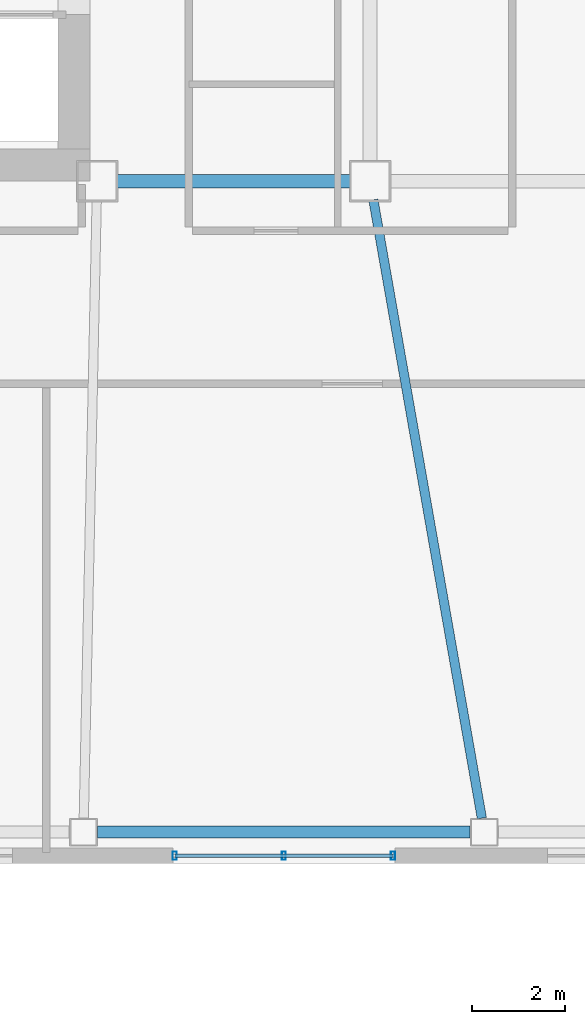
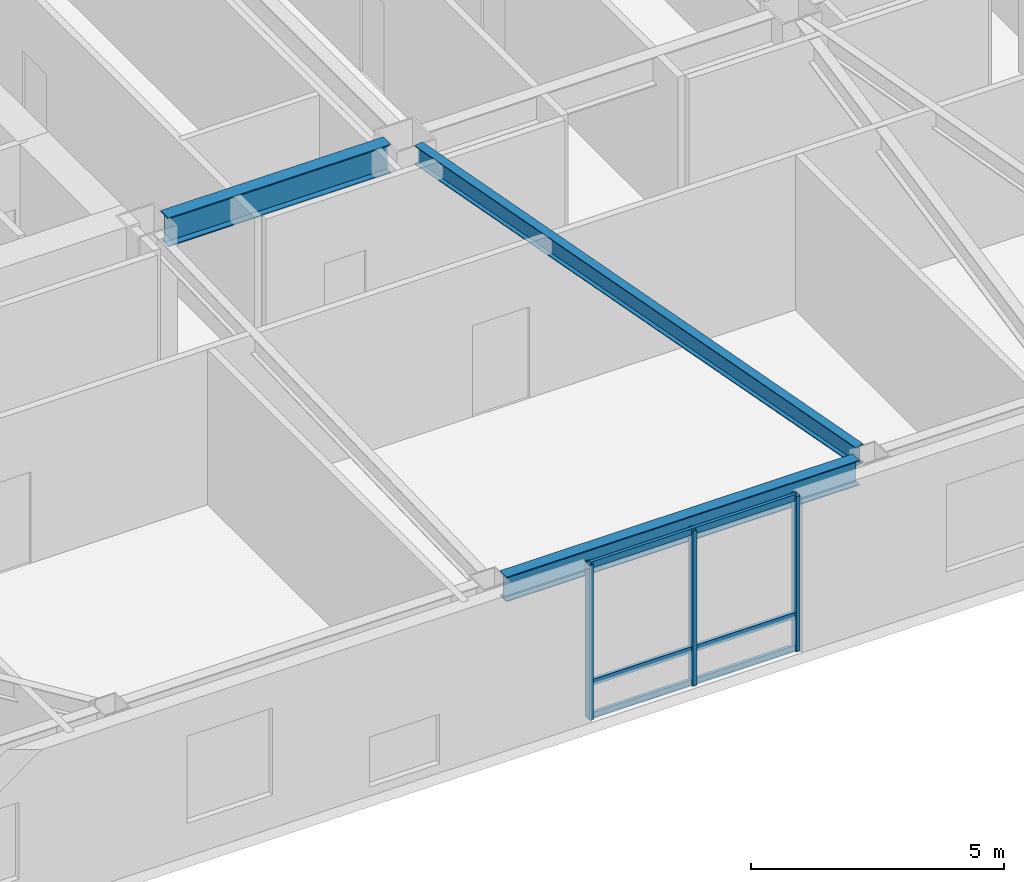
# One storey, part 4 of 18: 6 members, 3 beams, 1 element without a shape of its own.
"""IFC4 building model written with IfcOpenShell, lengths in metres."""

from ifc_helpers import new_model, si_unit, direction, frame, origin, origin_2d, place, context, subcontext, project, spatial, hollow_rectangle, i_section, extrude, material, layer, layer_set, material_profile, profile_set, type_object, element, aggregate, save


model = new_model("IFC4")

# Units and contexts
model_context = context("Model", 3, precision=1e-05, world=origin(), true_north=direction((0.0, 1.0)))
body_context = subcontext(model_context, "Body", "Model", "MODEL_VIEW")
ifc_project = project(units=[si_unit("LENGTHUNIT", "METRE"), si_unit("AREAUNIT", "SQUARE_METRE"), si_unit("VOLUMEUNIT", "CUBIC_METRE"), si_unit("PLANEANGLEUNIT", "RADIAN"), si_unit("MASSUNIT", "GRAM", prefix="KILO")], contexts=[model_context])

# Site, building, storey
site_placement = place(None, origin())
site = spatial("IfcSite", under=ifc_project, at=site_placement, CompositionType="ELEMENT")
building_placement = place(site_placement, origin())
building = spatial("IfcBuilding", under=site, at=building_placement, Name="Tavrogorsk Clinical Tower", CompositionType="ELEMENT")
storey_placement = place(building_placement, frame((0.0, 0.0, 184.199951171875)))
storey = spatial("IfcBuildingStorey", under=building, at=storey_placement, Name="L42", CompositionType="ELEMENT", Elevation=184.199951171875)

# Curtain wall, members
ifc_material_1 = material(Name="Anodised aluminium and triple IGU glazing", Category="aluminium")
ifc_layer = layer(ifc_material_1, 0.179931640625)
ifc_layer_set = layer_set([ifc_layer], Name="Anodised aluminium and triple IGU glazing")
curtain_wall_type = type_object("IfcCurtainWallType", Name="CW3_SouthSlot", PredefinedType="NOTDEFINED", material=ifc_layer_set)
curtain_wall_placement = place(storey_placement, origin())
curtain_wall = element("IfcCurtainWall", 1, at=curtain_wall_placement, inside=storey, type_object=curtain_wall_type, Name="L42 Curtain Wall CW-L42-S-SLOT-1", PredefinedType="NOTDEFINED")
ifc_material_2 = material(Name="Anodised aluminium alloy AW-6060", Category="aluminium")
ifc_material_profile_1 = material_profile(ifc_material_2, hollow_rectangle(XDim=0.090087890625, YDim=0.179931640625, WallThickness=0.00634765625, at=origin_2d()), Name="RHS-180x90x6.3")
ifc_profile_set_1 = profile_set([ifc_material_profile_1], Name="Anodised aluminium alloy AW-6060")
member_type_1 = type_object("IfcMemberType", Name="CwMullion_180x90", PredefinedType="MULLION", material=ifc_profile_set_1)
member_1_placement = place(storey_placement, frame((-8.621826171875, -20.929931640625, 0.0), z_axis=(0.0, 0.0, 1.0), x_axis=(1.0, 0.0, 0.0)))
member_1 = element("IfcMember", 2, at=member_1_placement, type_object=member_type_1, Name="CW-L42-S-SLOT-1 Mullion 1", PredefinedType="MULLION", context=body_context, shape_type="SweptSolid", body=[
    extrude(hollow_rectangle(XDim=0.090087890625, YDim=0.179931640625, WallThickness=0.00634765625, at=origin_2d()), origin(), (0.0, 0.0, 1.0), 3.739990234375),
])
member_2_placement = place(storey_placement, frame((-6.262939453125, -20.929931640625, 0.0), z_axis=(0.0, 0.0, 1.0), x_axis=(1.0, 0.0, 0.0)))
member_2 = element("IfcMember", 3, at=member_2_placement, type_object=member_type_1, Name="CW-L42-S-SLOT-1 Mullion 2", PredefinedType="MULLION", context=body_context, shape_type="SweptSolid", body=[
    extrude(hollow_rectangle(XDim=0.090087890625, YDim=0.179931640625, WallThickness=0.00634765625, at=origin_2d()), origin(), (0.0, 0.0, 1.0), 3.739990234375),
])
member_3_placement = place(storey_placement, frame((-3.90380859375, -20.929931640625, 0.0), z_axis=(0.0, 0.0, 1.0), x_axis=(1.0, 0.0, 0.0)))
member_3 = element("IfcMember", 4, at=member_3_placement, type_object=member_type_1, Name="CW-L42-S-SLOT-1 Mullion 3", PredefinedType="MULLION", context=body_context, shape_type="SweptSolid", body=[
    extrude(hollow_rectangle(XDim=0.090087890625, YDim=0.179931640625, WallThickness=0.00634765625, at=origin_2d()), origin(), (0.0, 0.0, 1.0), 3.739990234375),
])
ifc_material_3 = material(Name="Anodised aluminium alloy AW-6060", Category="aluminium")
ifc_material_profile_2 = material_profile(ifc_material_3, hollow_rectangle(XDim=0.074951171875, YDim=0.14990234375, WallThickness=0.0048828125, at=origin_2d()), Name="RHS-150x75x5")
ifc_profile_set_2 = profile_set([ifc_material_profile_2], Name="Anodised aluminium alloy AW-6060")
member_type_2 = type_object("IfcMemberType", Name="CwTransom_150x75", PredefinedType="USERDEFINED", material=ifc_profile_set_2)
member_4_placement = place(storey_placement, frame((-8.621826171875, -20.929931640625, 0.050048828125), z_axis=(1.0, 0.0, 0.0), x_axis=(0.0, 1.0, 0.0)))
member_4 = element("IfcMember", 5, at=member_4_placement, type_object=member_type_2, Name="CW-L42-S-SLOT-1 Transom 1", ObjectType="TRANSOM", PredefinedType="USERDEFINED", context=body_context, shape_type="SweptSolid", body=[
    extrude(hollow_rectangle(XDim=0.074951171875, YDim=0.14990234375, WallThickness=0.0048828125, at=origin_2d()), origin(), (0.0, 0.0, 1.0), 4.718017578125),
])
member_5_placement = place(storey_placement, frame((-8.621826171875, -20.929931640625, 0.85009765625), z_axis=(1.0, 0.0, 0.0), x_axis=(0.0, 1.0, 0.0)))
member_5 = element("IfcMember", 6, at=member_5_placement, type_object=member_type_2, Name="CW-L42-S-SLOT-1 Transom 2", ObjectType="TRANSOM", PredefinedType="USERDEFINED", context=body_context, shape_type="SweptSolid", body=[
    extrude(hollow_rectangle(XDim=0.074951171875, YDim=0.14990234375, WallThickness=0.0048828125, at=origin_2d()), origin(), (0.0, 0.0, 1.0), 4.718017578125),
])
member_6_placement = place(storey_placement, frame((-8.621826171875, -20.929931640625, 3.68994140625), z_axis=(1.0, 0.0, 0.0), x_axis=(0.0, 1.0, 0.0)))
member_6 = element("IfcMember", 7, at=member_6_placement, type_object=member_type_2, Name="CW-L42-S-SLOT-1 Transom 3", ObjectType="TRANSOM", PredefinedType="USERDEFINED", context=body_context, shape_type="SweptSolid", body=[
    extrude(hollow_rectangle(XDim=0.074951171875, YDim=0.14990234375, WallThickness=0.0048828125, at=origin_2d()), origin(), (0.0, 0.0, 1.0), 4.718017578125),
])
aggregate(curtain_wall, [member_1, member_2, member_3, member_4, member_5, member_6])

# Beams
ifc_material_4 = material(Name="Structural steel S355", Category="steel")
ifc_material_profile_3 = material_profile(ifc_material_4, i_section(OverallWidth=0.199951171875, OverallDepth=0.449951171875, WebThickness=0.011474609375, FlangeThickness=0.01806640625, at=origin_2d()), Name="B-450x200x11.5x18")
ifc_profile_set_3 = profile_set([ifc_material_profile_3], Name="Structural steel S355")
beam_type_1 = type_object("IfcBeamType", Name="FloorBeam_B450", PredefinedType="BEAM", material=ifc_profile_set_3)
beam_1_placement = place(storey_placement, frame((-4.3291015625, -6.75390625, 3.51513671875), z_axis=(0.172808972689, -0.984955358866, 0.0), x_axis=(0.984955358866, 0.172808972689, 0.0)))
element("IfcBeam", 8, at=beam_1_placement, inside=storey, type_object=beam_type_1, Name="L42 Radial Floor Beam S4", PredefinedType="BEAM", context=body_context, shape_type="SweptSolid", body=[
    extrude(i_section(OverallWidth=0.199951171875, OverallDepth=0.449951171875, WebThickness=0.011474609375, FlangeThickness=0.01806640625, at=origin_2d()), origin(), (0.0, 0.0, 1.0), 13.56689453125),
])
ifc_material_5 = material(Name="Structural steel S390", Category="steel")
ifc_material_profile_4 = material_profile(ifc_material_5, i_section(OverallWidth=0.300048828125, OverallDepth=0.699951171875, WebThickness=0.01708984375, FlangeThickness=0.028076171875, at=origin_2d()), Name="B-700x300x17x28")
ifc_profile_set_4 = profile_set([ifc_material_profile_4], Name="Structural steel S390")
beam_type_2 = type_object("IfcBeamType", Name="PrimaryGirder_B700", PredefinedType="USERDEFINED", material=ifc_profile_set_4)
beam_2_placement = place(storey_placement, frame((-9.889892578125, -6.35009765625, 3.39013671875), z_axis=(1.0, 0.0, 0.0), x_axis=(0.0, 1.0, 0.0)))
element("IfcBeam", 9, at=beam_2_placement, inside=storey, type_object=beam_type_2, Name="L42 Primary Spine Girder MG-01", ObjectType="GIRDER", PredefinedType="USERDEFINED", context=body_context, shape_type="SweptSolid", body=[
    extrude(i_section(OverallWidth=0.300048828125, OverallDepth=0.699951171875, WebThickness=0.01708984375, FlangeThickness=0.028076171875, at=origin_2d()), origin(), (0.0, 0.0, 1.0), 5.079833984375),
])
ifc_material_6 = material(Name="Structural steel S390", Category="steel")
ifc_material_profile_5 = material_profile(ifc_material_6, i_section(OverallWidth=0.260009765625, OverallDepth=0.60009765625, WebThickness=0.014892578125, FlangeThickness=0.02392578125, at=origin_2d()), Name="B-600x260x15x24")
ifc_profile_set_5 = profile_set([ifc_material_profile_5], Name="Structural steel S390")
beam_type_3 = type_object("IfcBeamType", Name="SpandrelBeam_B600", PredefinedType="SPANDREL", material=ifc_profile_set_5)
beam_3_placement = place(storey_placement, frame((-10.286376953125, -20.419921875, 3.43994140625), z_axis=(1.0, 0.0, 0.0), x_axis=(0.0, 1.0, 0.0)))
element("IfcBeam", 10, at=beam_3_placement, inside=storey, type_object=beam_type_3, Name="L42 Perimeter Spandrel S3-S4", PredefinedType="SPANDREL", context=body_context, shape_type="SweptSolid", body=[
    extrude(i_section(OverallWidth=0.260009765625, OverallDepth=0.60009765625, WebThickness=0.014892578125, FlangeThickness=0.02392578125, at=origin_2d()), origin(), (0.0, 0.0, 1.0), 8.046875),
])

save(model, "model.ifc")
